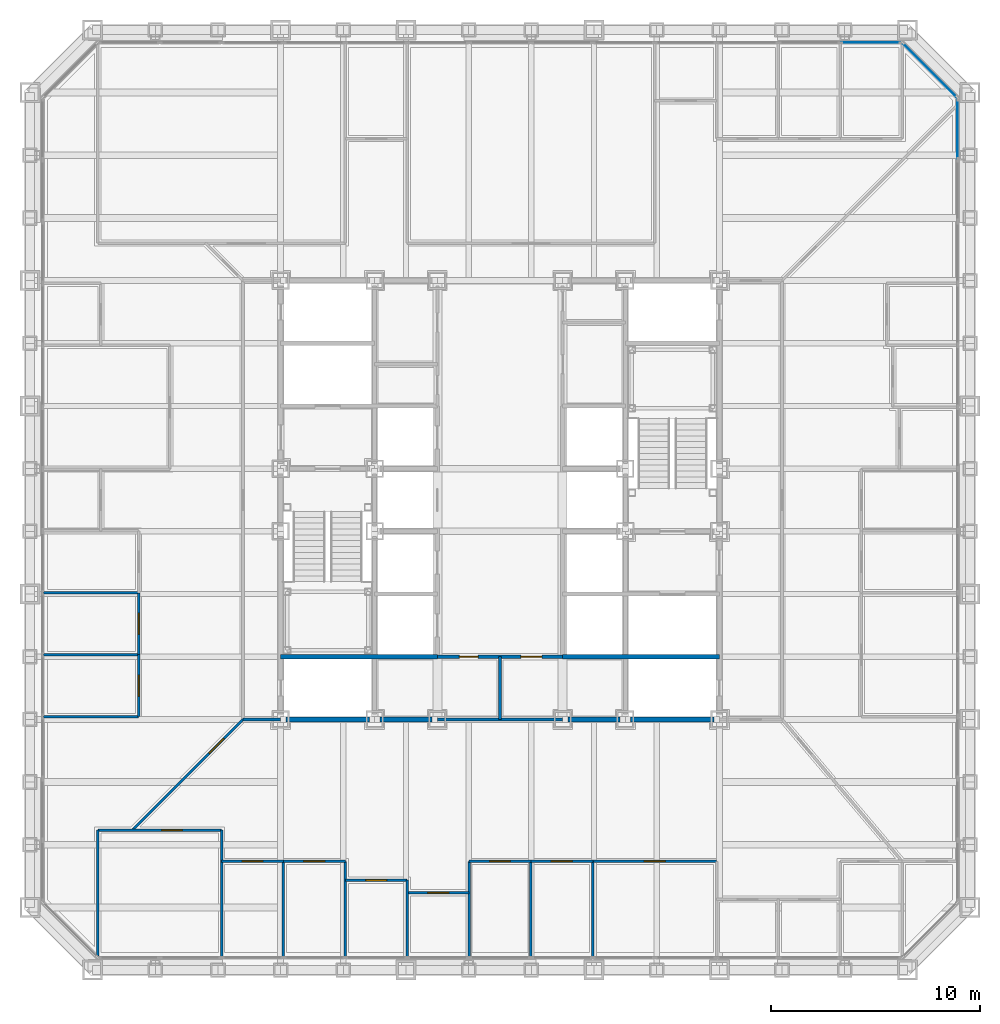
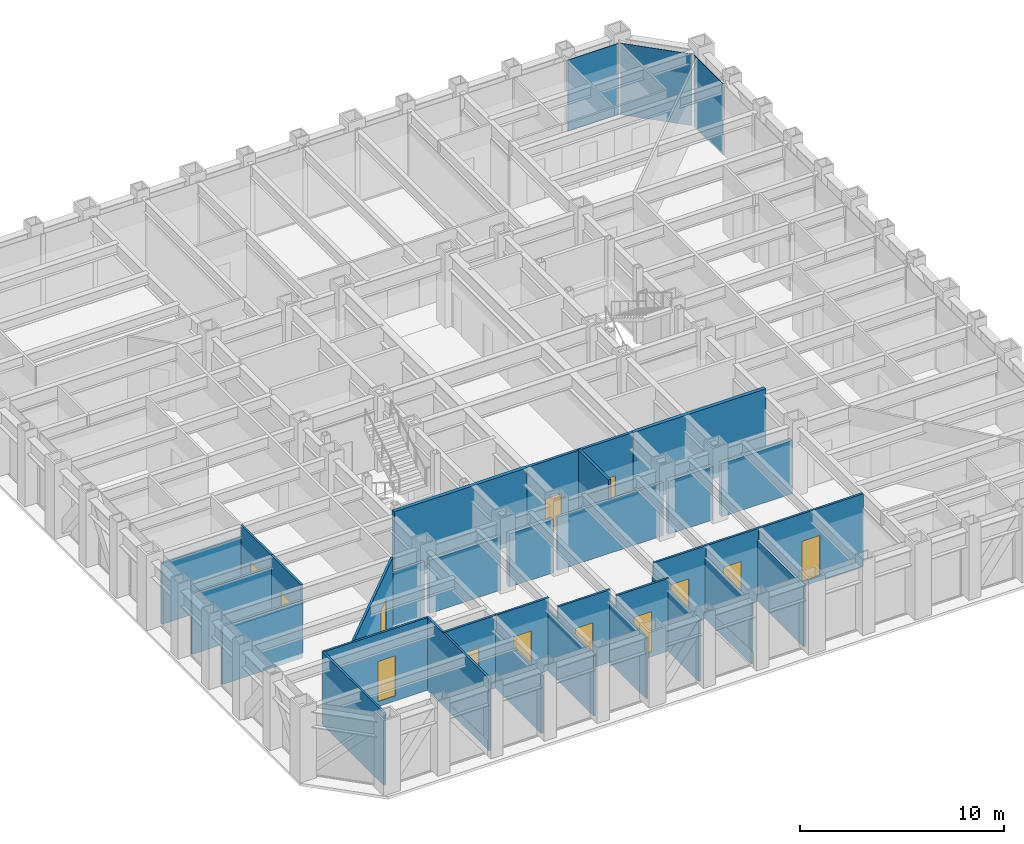
# One storey, part 8 of 16: 32 walls, 13 doors, 3 plates, 13 openings, 3 elements without a shape of their own.
"""IFC4 building model written with IfcOpenShell, lengths in metres."""

from ifc_helpers import new_model, si_unit, direction, frame, frame_2d, origin, origin_2d, place, context, subcontext, project, spatial, rectangle, extrude, material, layer, layer_set, type_object, element, fill, aggregate, save


model = new_model("IFC4")

# Units and contexts
model_context = context("Model", 3, precision=1e-05, world=origin(), true_north=direction((0.0, 1.0)))
body_context = subcontext(model_context, "Body", "Model", "MODEL_VIEW")
ifc_project = project(units=[si_unit("LENGTHUNIT", "METRE"), si_unit("AREAUNIT", "SQUARE_METRE"), si_unit("VOLUMEUNIT", "CUBIC_METRE"), si_unit("PLANEANGLEUNIT", "RADIAN"), si_unit("MASSUNIT", "GRAM", prefix="KILO")], contexts=[model_context])

# Site, building, storey
site_placement = place(None, origin())
site = spatial("IfcSite", under=ifc_project, at=site_placement, CompositionType="ELEMENT")
building_placement = place(site_placement, origin())
building = spatial("IfcBuilding", under=site, at=building_placement, Name="Chuquiago Exchange Tower", CompositionType="ELEMENT")
storey_placement = place(building_placement, frame((0.0, 0.0, 33.300048828125)))
storey = spatial("IfcBuildingStorey", under=building, at=storey_placement, Name="L06", CompositionType="ELEMENT", Elevation=33.300048828125)

# Curtain wall, plate
ifc_material_1 = material(Name="Aluminium curtain wall system", Category="aluminium")
ifc_layer_1 = layer(ifc_material_1, 0.25)
ifc_layer_set_1 = layer_set([ifc_layer_1], Name="CW1 trading floor curtain wall")
curtain_wall_type_1 = type_object("IfcCurtainWallType", Name="CW1 trading floor curtain wall", PredefinedType="NOTDEFINED", material=ifc_layer_set_1)
curtain_wall_1_placement = place(storey_placement, origin())
curtain_wall_1 = element("IfcCurtainWall", 1, at=curtain_wall_1_placement, inside=storey, type_object=curtain_wall_type_1, Name="CW1 curtain wall L06", PredefinedType="NOTDEFINED")
ifc_material_2 = material(Name="Insulated spandrel panel, pale anodised aluminium", Category="aluminium")
ifc_layer_2 = layer(ifc_material_2, 0.031982421875)
ifc_layer_set_2 = layer_set([ifc_layer_2], Name="CW1-P spandrel panel 32")
plate_type_1 = type_object("IfcPlateType", Name="CW1-P spandrel panel 32", PredefinedType="CURTAIN_PANEL", material=ifc_layer_set_2)
plate_1_placement = place(storey_placement, frame((44.39990234375, 40.251953125, -0.22509765625), z_axis=(0.0, 0.0, 1.0), x_axis=(0.0, 1.0, 0.0)))
plate_1 = element("IfcPlate", 2, at=plate_1_placement, type_object=plate_type_1, Name="CW1 panel 13.1", PredefinedType="CURTAIN_PANEL", context=body_context, shape_type="SweptSolid", body=[
    extrude(rectangle(XDim=2.849365234375, YDim=0.031982421875, at=origin_2d()), origin(), (0.0, 0.0, 1.0), 4.264892578125),
])
aggregate(curtain_wall_1, [plate_1])

curtain_wall_2_placement = place(storey_placement, origin())
curtain_wall_2 = element("IfcCurtainWall", 3, at=curtain_wall_2_placement, inside=storey, type_object=curtain_wall_type_1, Name="CW1 curtain wall L06", PredefinedType="NOTDEFINED")
plate_2_placement = place(storey_placement, frame((40.251953125, 44.39990234375, -0.22509765625), z_axis=(0.0, 0.0, 1.0), x_axis=(-1.0, 0.0, 0.0)))
plate_2 = element("IfcPlate", 4, at=plate_2_placement, type_object=plate_type_1, Name="CW1 panel 1.1", PredefinedType="CURTAIN_PANEL", context=body_context, shape_type="SweptSolid", body=[
    extrude(rectangle(XDim=2.849365234375, YDim=0.031982421875, at=origin_2d()), origin(), (0.0, 0.0, 1.0), 4.264892578125),
])
aggregate(curtain_wall_2, [plate_2])

ifc_material_3 = material(Name="Aluminium curtain wall system", Category="aluminium")
ifc_layer_3 = layer(ifc_material_3, 0.199951171875)
ifc_layer_set_3 = layer_set([ifc_layer_3], Name="CW3 facet curtain wall")
curtain_wall_type_2 = type_object("IfcCurtainWallType", Name="CW3 facet curtain wall", PredefinedType="NOTDEFINED", material=ifc_layer_set_3)
curtain_wall_3_placement = place(storey_placement, origin())
curtain_wall_3 = element("IfcCurtainWall", 5, at=curtain_wall_3_placement, inside=storey, type_object=curtain_wall_type_2, Name="CW3 curtain wall L06", PredefinedType="NOTDEFINED")
ifc_material_4 = material(Name="Insulated spandrel panel, pale anodised aluminium", Category="aluminium")
ifc_layer_4 = layer(ifc_material_4, 0.030029296875)
ifc_layer_set_4 = layer_set([ifc_layer_4], Name="CW3-P spandrel panel 30")
plate_type_2 = type_object("IfcPlateType", Name="CW3-P spandrel panel 30", PredefinedType="CURTAIN_PANEL", material=ifc_layer_set_4)
plate_3_placement = place(storey_placement, frame((43.07568359375, 43.07568359375, -0.235107421875), z_axis=(0.0, 0.0, 1.0), x_axis=(-0.707106781187, 0.707106781187, 0.0)))
plate_3 = element("IfcPlate", 6, at=plate_3_placement, type_object=plate_type_2, Name="CW3 panel 1.1", PredefinedType="CURTAIN_PANEL", context=body_context, shape_type="SweptSolid", body=[
    extrude(rectangle(XDim=3.615478515625, YDim=0.030029296875, at=origin_2d()), origin(), (0.0, 0.0, 1.0), 4.27490234375),
])
aggregate(curtain_wall_3, [plate_3])

# Walls
ifc_material_5 = material(Name="Concrete masonry, fully grouted", Category="masonry")
ifc_layer_5 = layer(ifc_material_5, 0.25)
ifc_layer_set_5 = layer_set([ifc_layer_5], Name="W1 core wall 250")
wall_type_1 = type_object("IfcWallType", Name="W1 core wall 250", PredefinedType="SOLIDWALL", material=ifc_layer_set_5)
wall_1_placement = place(storey_placement, frame((12.25, 12.0, 0.0), z_axis=(0.0, 0.0, 1.0), x_axis=(1.0, 0.0, 0.0)))
element("IfcWall", 7, at=wall_1_placement, inside=storey, type_object=wall_type_1, Name="CW-L06-01-0", PredefinedType="SOLIDWALL", context=body_context, shape_type="SweptSolid", body=[
    extrude(rectangle(XDim=4.0, YDim=0.25, at=frame_2d((2.0, 0.0))), origin(), (0.0, 0.0, 1.0), 3.181396484375),
])
for number, where, z_axis, x_axis, name in (
    (8, (16.75, 12.0, 0.0), (0.0, 0.0, 1.0), (1.0, 0.0, 0.0), "CW-L06-01-1"),
    (9, (25.75, 12.0, 0.0), (0.0, 0.0, 1.0), (1.0, 0.0, 0.0), "CW-L06-02-0"),
):
    element("IfcWall", number, at=place(storey_placement, frame(where, z_axis=z_axis, x_axis=x_axis)), inside=storey, type_object=wall_type_1, Name=name, PredefinedType="SOLIDWALL", context=body_context, shape_type="SweptSolid", body=[
        extrude(rectangle(XDim=2.5, YDim=0.25, at=frame_2d((1.25, 0.0))), origin(), (0.0, 0.0, 1.0), 3.181396484375),
    ])
wall_2_placement = place(storey_placement, frame((28.75, 12.0, 0.0), z_axis=(0.0, 0.0, 1.0), x_axis=(1.0, 0.0, 0.0)))
element("IfcWall", 10, at=wall_2_placement, inside=storey, type_object=wall_type_1, Name="CW-L06-02-1", PredefinedType="SOLIDWALL", context=body_context, shape_type="SweptSolid", body=[
    extrude(rectangle(XDim=4.0, YDim=0.25, at=frame_2d((2.0, 0.0))), origin(), (0.0, 0.0, 1.0), 3.181396484375),
])
ifc_material_6 = material(Name="Gypsum board on steel studs, acoustic insulation", Category="steel")
ifc_layer_6 = layer(ifc_material_6, 0.14990234375)
ifc_layer_set_6 = layer_set([ifc_layer_6], Name="W11 corridor wall 150")
wall_type_2 = type_object("IfcWallType", Name="W11 corridor wall 150", PredefinedType="PARTITIONING", material=ifc_layer_set_6)
wall_3_placement = place(storey_placement, frame((10.199951171875, 12.0, -0.300048828125), z_axis=(0.0, 0.0, 1.0), x_axis=(1.0, 0.0, 0.0)))
element("IfcWall", 11, at=wall_3_placement, inside=storey, type_object=wall_type_2, Name="PW-L06-GWS0", PredefinedType="PARTITIONING", context=body_context, shape_type="SweptSolid", body=[
    extrude(rectangle(XDim=1.800048828125, YDim=0.14990234375, at=frame_2d((0.89990234375, 0.0))), origin(), (0.0, 0.0, 1.0), 3.4814453125),
])
ifc_material_7 = material(Name="Concrete masonry, fully grouted", Category="masonry")
ifc_layer_7 = layer(ifc_material_7, 0.199951171875)
ifc_layer_set_7 = layer_set([ifc_layer_7], Name="W2 shaft wall 200")
wall_type_3 = type_object("IfcWallType", Name="W2 shaft wall 200", PredefinedType="SOLIDWALL", material=ifc_layer_set_7)
for number, where, z_axis, x_axis, name in (
    (12, (12.0, 15.0, 0.0), (0.0, 0.0, 1.0), (1.0, 0.0, 0.0), "CW-L06-03-0"),
    (13, (25.5, 15.0, 0.0), (0.0, 0.0, 1.0), (1.0, 0.0, 0.0), "CW-L06-04-0"),
):
    element("IfcWall", number, at=place(storey_placement, frame(where, z_axis=z_axis, x_axis=x_axis)), inside=storey, type_object=wall_type_3, Name=name, PredefinedType="SOLIDWALL", context=body_context, shape_type="SweptSolid", body=[
        extrude(rectangle(XDim=7.5, YDim=0.199951171875, at=frame_2d((3.75, 0.0))), origin(), (0.0, 0.0, 1.0), 4.33984375),
    ])

# Wall, openings, doors
ifc_material_8 = material(Name="Gypsum board on steel studs", Category="steel")
ifc_layer_8 = layer(ifc_material_8, 0.14990234375)
ifc_layer_set_8 = layer_set([ifc_layer_8], Name="W3 core partition 150")
wall_type_4 = type_object("IfcWallType", Name="W3 core partition 150", PredefinedType="PARTITIONING", material=ifc_layer_set_8)
wall_4_placement = place(storey_placement, frame((19.5, 15.0, 0.0), z_axis=(0.0, 0.0, 1.0), x_axis=(1.0, 0.0, 0.0)))
wall_4 = element("IfcWall", 14, at=wall_4_placement, inside=storey, type_object=wall_type_4, Name="CW-L06-TF", PredefinedType="PARTITIONING", context=body_context, shape_type="SweptSolid", body=[
    extrude(rectangle(XDim=6.0, YDim=0.14990234375, at=frame_2d((3.0, 0.0))), origin(), (0.0, 0.0, 1.0), 4.33984375),
])
opening_1_placement = place(wall_4_placement, frame((4.0, 0.0, 0.0)))
opening_1 = element("IfcOpeningElement", 15, at=opening_1_placement, cuts=wall_4, Name="Opening L06-015", PredefinedType="OPENING", context=body_context, shape_type="SweptSolid", body=[
    extrude(rectangle(XDim=1.0, YDim=2.10009765625, at=frame_2d((0.5, 1.050048828125))), frame((0.0, 0.0849609375, 0.0), z_axis=(0.0, -1.0, 0.0), x_axis=(1.0, 0.0, 0.0)), (0.0, 0.0, 1.0), 0.169921875),
])
opening_2_placement = place(wall_4_placement, frame((1.050048828125, 0.0, 0.0)))
opening_2 = element("IfcOpeningElement", 16, at=opening_2_placement, cuts=wall_4, Name="Opening L06-016", PredefinedType="OPENING", context=body_context, shape_type="SweptSolid", body=[
    extrude(rectangle(XDim=0.89990234375, YDim=2.10009765625, at=frame_2d((0.449951171875, 1.050048828125))), frame((0.0, 0.0849609375, 0.0), z_axis=(0.0, -1.0, 0.0), x_axis=(1.0, 0.0, 0.0)), (0.0, 0.0, 1.0), 0.169921875),
])
ifc_material_9 = material(Name="Timber door, laminate faced", Category="wood")
door_type_1 = type_object("IfcDoorType", Name="D7 toilet door 900x2100", OperationType="SINGLE_SWING_LEFT", PredefinedType="DOOR", material=ifc_material_9)
door_1_placement = place(opening_2_placement, origin())
door_1 = element("IfcDoor", 17, at=door_1_placement, inside=storey, type_object=door_type_1, Name="Cleaner door", OperationType="SINGLE_SWING_LEFT", OverallHeight=2.10009765625, OverallWidth=0.89990234375, PredefinedType="DOOR", context=body_context, shape_type="SweptSolid", body=[
    extrude(rectangle(XDim=0.89990234375, YDim=2.10009765625, at=frame_2d((0.449951171875, 1.050048828125))), frame((0.0, 0.02490234375, 0.0), z_axis=(0.0, -1.0, 0.0), x_axis=(1.0, 0.0, 0.0)), (0.0, 0.0, 1.0), 0.050048828125),
])
fill(opening_2, door_1)
ifc_material_10 = material(Name="Timber door, laminate faced", Category="wood")
door_type_2 = type_object("IfcDoorType", Name="D8 accessible toilet door 1000x2100", OperationType="SLIDING_TO_LEFT", PredefinedType="DOOR", material=ifc_material_10)
door_2_placement = place(opening_1_placement, origin())
door_2 = element("IfcDoor", 18, at=door_2_placement, inside=storey, type_object=door_type_2, Name="Accessible WC door", OperationType="SLIDING_TO_LEFT", OverallHeight=2.10009765625, OverallWidth=1.0, PredefinedType="DOOR", context=body_context, shape_type="SweptSolid", body=[
    extrude(rectangle(XDim=1.0, YDim=2.10009765625, at=frame_2d((0.5, 1.050048828125))), frame((0.0, 0.02490234375, 0.0), z_axis=(0.0, -1.0, 0.0), x_axis=(1.0, 0.0, 0.0)), (0.0, 0.0, 1.0), 0.050048828125),
])
fill(opening_1, door_2)

# Walls
wall_5_placement = place(storey_placement, frame((22.5, 15.0, 0.0), z_axis=(0.0, 0.0, 1.0), x_axis=(0.0, -1.0, 0.0)))
element("IfcWall", 19, at=wall_5_placement, inside=storey, type_object=wall_type_4, Name="CW-L06-TM", PredefinedType="PARTITIONING", context=body_context, shape_type="SweptSolid", body=[
    extrude(rectangle(XDim=3.0, YDim=0.14990234375, at=frame_2d((1.5, 0.0))), origin(), (0.0, 0.0, 1.0), 4.33984375),
])
wall_6_placement = place(storey_placement, frame((19.5, 12.0, 0.0), z_axis=(0.0, 0.0, 1.0), x_axis=(1.0, 0.0, 0.0)))
element("IfcWall", 20, at=wall_6_placement, inside=storey, type_object=wall_type_4, Name="CW-L06-TB", PredefinedType="PARTITIONING", context=body_context, shape_type="SweptSolid", body=[
    extrude(rectangle(XDim=6.0, YDim=0.14990234375, at=frame_2d((3.0, 0.0))), origin(), (0.0, 0.0, 1.0), 3.181396484375),
])
ifc_material_11 = material(Name="Gypsum board on steel studs", Category="steel")
ifc_layer_9 = layer(ifc_material_11, 0.1201171875)
ifc_layer_set_9 = layer_set([ifc_layer_9], Name="W4 partition 120")
wall_type_5 = type_object("IfcWallType", Name="W4 partition 120", PredefinedType="PARTITIONING", material=ifc_layer_set_9)
wall_7_placement = place(storey_placement, frame((3.24853515625, 0.666015625, -0.300048828125), z_axis=(0.0, 0.0, 1.0), x_axis=(0.0, 1.0, 0.0)))
element("IfcWall", 21, at=wall_7_placement, inside=storey, type_object=wall_type_5, Name="PW-L06-S00325", PredefinedType="PARTITIONING", context=body_context, shape_type="SweptSolid", body=[
    extrude(rectangle(XDim=6.033935546875, YDim=0.1201171875, at=frame_2d((3.01708984375, 0.0))), origin(), (0.0, 0.0, 1.0), 4.340087890625),
])
wall_8_placement = place(storey_placement, frame((9.172119140625, 0.657470703125, -0.300048828125), z_axis=(0.0, 0.0, 1.0), x_axis=(0.0, 1.0, 0.0)))
element("IfcWall", 22, at=wall_8_placement, inside=storey, type_object=wall_type_5, Name="PW-L06-S00917", PredefinedType="PARTITIONING", context=body_context, shape_type="SweptSolid", body=[
    extrude(rectangle(XDim=6.04248046875, YDim=0.1201171875, at=frame_2d((3.021240234375, 0.0))), origin(), (0.0, 0.0, 1.0), 4.340087890625),
])
wall_9_placement = place(storey_placement, frame((12.1337890625, 0.657470703125, -0.300048828125), z_axis=(0.0, 0.0, 1.0), x_axis=(0.0, 1.0, 0.0)))
element("IfcWall", 23, at=wall_9_placement, inside=storey, type_object=wall_type_5, Name="PW-L06-S01213", PredefinedType="PARTITIONING", context=body_context, shape_type="SweptSolid", body=[
    extrude(rectangle(XDim=4.54248046875, YDim=0.1201171875, at=frame_2d((2.271240234375, 0.0))), origin(), (0.0, 0.0, 1.0), 3.4814453125),
])
wall_10_placement = place(storey_placement, frame((15.095703125, 0.657470703125, -0.300048828125), z_axis=(0.0, 0.0, 1.0), x_axis=(0.0, 1.0, 0.0)))
element("IfcWall", 24, at=wall_10_placement, inside=storey, type_object=wall_type_5, Name="PW-L06-S01510", PredefinedType="PARTITIONING", context=body_context, shape_type="SweptSolid", body=[
    extrude(rectangle(XDim=4.54248046875, YDim=0.1201171875, at=frame_2d((2.271240234375, 0.0))), origin(), (0.0, 0.0, 1.0), 3.646484375),
])
wall_11_placement = place(storey_placement, frame((18.057373046875, 0.657470703125, -0.300048828125), z_axis=(0.0, 0.0, 1.0), x_axis=(0.0, 1.0, 0.0)))
element("IfcWall", 25, at=wall_11_placement, inside=storey, type_object=wall_type_5, Name="PW-L06-S01806", PredefinedType="PARTITIONING", context=body_context, shape_type="SweptSolid", body=[
    extrude(rectangle(XDim=3.642578125, YDim=0.1201171875, at=frame_2d((1.8212890625, 0.0))), origin(), (0.0, 0.0, 1.0), 3.646484375),
])
for number, where, z_axis, x_axis, name in (
    (26, (21.01904296875, 0.657470703125, -0.300048828125), (0.0, 0.0, 1.0), (0.0, 1.0, 0.0), "PW-L06-S02102"),
    (27, (23.98095703125, 0.657470703125, -0.300048828125), (0.0, 0.0, 1.0), (0.0, 1.0, 0.0), "PW-L06-S02398"),
    (28, (26.942626953125, 0.657470703125, -0.300048828125), (0.0, 0.0, 1.0), (0.0, 1.0, 0.0), "PW-L06-S02694"),
):
    element("IfcWall", number, at=place(storey_placement, frame(where, z_axis=z_axis, x_axis=x_axis)), inside=storey, type_object=wall_type_5, Name=name, PredefinedType="PARTITIONING", context=body_context, shape_type="SweptSolid", body=[
        extrude(rectangle(XDim=4.54248046875, YDim=0.1201171875, at=frame_2d((2.271240234375, 0.0))), origin(), (0.0, 0.0, 1.0), 3.646484375),
    ])

# Wall, opening, door
wall_12_placement = place(storey_placement, frame((3.24853515625, 6.699951171875, -0.300048828125), z_axis=(0.0, 0.0, 1.0), x_axis=(1.0, 0.0, 0.0)))
wall_12 = element("IfcWall", 29, at=wall_12_placement, inside=storey, type_object=wall_type_5, Name="PW-L06-SF00325", PredefinedType="PARTITIONING", context=body_context, shape_type="SweptSolid", body=[
    extrude(rectangle(XDim=5.923583984375, YDim=0.1201171875, at=frame_2d((2.9619140625, 0.0))), origin(), (0.0, 0.0, 1.0), 4.340087890625),
])
opening_3_placement = place(wall_12_placement, frame((3.05419921875, 0.0, 0.300048828125)))
opening_3 = element("IfcOpeningElement", 30, at=opening_3_placement, cuts=wall_12, Name="Opening L06-021", PredefinedType="OPENING", context=body_context, shape_type="SweptSolid", body=[
    extrude(rectangle(XDim=1.0, YDim=2.39990234375, at=frame_2d((0.5, 1.199951171875))), frame((0.0, 0.070068359375, 0.0), z_axis=(0.0, -1.0, 0.0), x_axis=(1.0, 0.0, 0.0)), (0.0, 0.0, 1.0), 0.14013671875),
])
ifc_material_12 = material(Name="Timber door, laminate faced", Category="wood")
door_type_3 = type_object("IfcDoorType", Name="D9 room door 1000x2400", OperationType="SINGLE_SWING_LEFT", PredefinedType="DOOR", material=ifc_material_12)
door_3_placement = place(opening_3_placement, frame((1.0, 0.0, 0.0), z_axis=(0.0, 0.0, 1.0), x_axis=(-1.0, 0.0, 0.0)))
door_3 = element("IfcDoor", 31, at=door_3_placement, inside=storey, type_object=door_type_3, Name="Market data room door", OperationType="SINGLE_SWING_LEFT", OverallHeight=2.39990234375, OverallWidth=1.0, PredefinedType="DOOR", context=body_context, shape_type="SweptSolid", body=[
    extrude(rectangle(XDim=1.0, YDim=2.39990234375, at=frame_2d((0.5, 1.199951171875))), frame((0.0, 0.02490234375, 0.0), z_axis=(0.0, -1.0, 0.0), x_axis=(1.0, 0.0, 0.0)), (0.0, 0.0, 1.0), 0.050048828125),
])
fill(opening_3, door_3)

wall_13_placement = place(storey_placement, frame((9.172119140625, 5.199951171875, -0.300048828125), z_axis=(0.0, 0.0, 1.0), x_axis=(1.0, 0.0, 0.0)))
wall_13 = element("IfcWall", 32, at=wall_13_placement, inside=storey, type_object=wall_type_5, Name="PW-L06-SF00917", PredefinedType="PARTITIONING", context=body_context, shape_type="SweptSolid", body=[
    extrude(rectangle(XDim=2.961669921875, YDim=0.1201171875, at=frame_2d((1.48095703125, 0.0))), origin(), (0.0, 0.0, 1.0), 4.340087890625),
])
opening_4_placement = place(wall_13_placement, frame((0.98095703125, 0.0, 0.300048828125)))
opening_4 = element("IfcOpeningElement", 33, at=opening_4_placement, cuts=wall_13, Name="Opening L06-022", PredefinedType="OPENING", context=body_context, shape_type="SweptSolid", body=[
    extrude(rectangle(XDim=1.0, YDim=2.39990234375, at=frame_2d((0.5, 1.199951171875))), frame((0.0, 0.070068359375, 0.0), z_axis=(0.0, -1.0, 0.0), x_axis=(1.0, 0.0, 0.0)), (0.0, 0.0, 1.0), 0.14013671875),
])
door_4_placement = place(opening_4_placement, frame((1.0, 0.0, 0.0), z_axis=(0.0, 0.0, 1.0), x_axis=(-1.0, 0.0, 0.0)))
door_4 = element("IfcDoor", 34, at=door_4_placement, inside=storey, type_object=door_type_3, Name="Trading support room door", OperationType="SINGLE_SWING_LEFT", OverallHeight=2.39990234375, OverallWidth=1.0, PredefinedType="DOOR", context=body_context, shape_type="SweptSolid", body=[
    extrude(rectangle(XDim=1.0, YDim=2.39990234375, at=frame_2d((0.5, 1.199951171875))), frame((0.0, 0.02490234375, 0.0), z_axis=(0.0, -1.0, 0.0), x_axis=(1.0, 0.0, 0.0)), (0.0, 0.0, 1.0), 0.050048828125),
])
fill(opening_4, door_4)

wall_14_placement = place(storey_placement, frame((12.1337890625, 5.199951171875, -0.300048828125), z_axis=(0.0, 0.0, 1.0), x_axis=(1.0, 0.0, 0.0)))
wall_14 = element("IfcWall", 35, at=wall_14_placement, inside=storey, type_object=wall_type_5, Name="PW-L06-SF01213", PredefinedType="PARTITIONING", context=body_context, shape_type="SweptSolid", body=[
    extrude(rectangle(XDim=2.9619140625, YDim=0.1201171875, at=frame_2d((1.48095703125, 0.0))), origin(), (0.0, 0.0, 1.0), 4.340087890625),
])
opening_5_placement = place(wall_14_placement, frame((0.98095703125, 0.0, 0.300048828125)))
opening_5 = element("IfcOpeningElement", 36, at=opening_5_placement, cuts=wall_14, Name="Opening L06-023", PredefinedType="OPENING", context=body_context, shape_type="SweptSolid", body=[
    extrude(rectangle(XDim=1.0, YDim=2.39990234375, at=frame_2d((0.5, 1.199951171875))), frame((0.0, 0.070068359375, 0.0), z_axis=(0.0, -1.0, 0.0), x_axis=(1.0, 0.0, 0.0)), (0.0, 0.0, 1.0), 0.14013671875),
])
door_5_placement = place(opening_5_placement, frame((1.0, 0.0, 0.0), z_axis=(0.0, 0.0, 1.0), x_axis=(-1.0, 0.0, 0.0)))
door_5 = element("IfcDoor", 37, at=door_5_placement, inside=storey, type_object=door_type_3, Name="Trading support room door", OperationType="SINGLE_SWING_LEFT", OverallHeight=2.39990234375, OverallWidth=1.0, PredefinedType="DOOR", context=body_context, shape_type="SweptSolid", body=[
    extrude(rectangle(XDim=1.0, YDim=2.39990234375, at=frame_2d((0.5, 1.199951171875))), frame((0.0, 0.02490234375, 0.0), z_axis=(0.0, -1.0, 0.0), x_axis=(1.0, 0.0, 0.0)), (0.0, 0.0, 1.0), 0.050048828125),
])
fill(opening_5, door_5)

wall_15_placement = place(storey_placement, frame((15.095703125, 4.300048828125, -0.300048828125), z_axis=(0.0, 0.0, 1.0), x_axis=(1.0, 0.0, 0.0)))
wall_15 = element("IfcWall", 38, at=wall_15_placement, inside=storey, type_object=wall_type_5, Name="PW-L06-SF01510", PredefinedType="PARTITIONING", context=body_context, shape_type="SweptSolid", body=[
    extrude(rectangle(XDim=2.961669921875, YDim=0.1201171875, at=frame_2d((1.48095703125, 0.0))), origin(), (0.0, 0.0, 1.0), 4.340087890625),
])
opening_6_placement = place(wall_15_placement, frame((0.98095703125, 0.0, 0.300048828125)))
opening_6 = element("IfcOpeningElement", 39, at=opening_6_placement, cuts=wall_15, Name="Opening L06-024", PredefinedType="OPENING", context=body_context, shape_type="SweptSolid", body=[
    extrude(rectangle(XDim=1.0, YDim=2.39990234375, at=frame_2d((0.5, 1.199951171875))), frame((0.0, 0.070068359375, 0.0), z_axis=(0.0, -1.0, 0.0), x_axis=(1.0, 0.0, 0.0)), (0.0, 0.0, 1.0), 0.14013671875),
])
door_6_placement = place(opening_6_placement, frame((1.0, 0.0, 0.0), z_axis=(0.0, 0.0, 1.0), x_axis=(-1.0, 0.0, 0.0)))
door_6 = element("IfcDoor", 40, at=door_6_placement, inside=storey, type_object=door_type_3, Name="Comms room door", OperationType="SINGLE_SWING_RIGHT", OverallHeight=2.39990234375, OverallWidth=1.0, PredefinedType="DOOR", context=body_context, shape_type="SweptSolid", body=[
    extrude(rectangle(XDim=1.0, YDim=2.39990234375, at=frame_2d((0.5, 1.199951171875))), frame((0.0, 0.02490234375, 0.0), z_axis=(0.0, -1.0, 0.0), x_axis=(1.0, 0.0, 0.0)), (0.0, 0.0, 1.0), 0.050048828125),
])
fill(opening_6, door_6)

wall_16_placement = place(storey_placement, frame((18.057373046875, 3.699951171875, -0.300048828125), z_axis=(0.0, 0.0, 1.0), x_axis=(1.0, 0.0, 0.0)))
wall_16 = element("IfcWall", 41, at=wall_16_placement, inside=storey, type_object=wall_type_5, Name="PW-L06-SF01806", PredefinedType="PARTITIONING", context=body_context, shape_type="SweptSolid", body=[
    extrude(rectangle(XDim=2.961669921875, YDim=0.1201171875, at=frame_2d((1.48095703125, 0.0))), origin(), (0.0, 0.0, 1.0), 4.340087890625),
])
opening_7_placement = place(wall_16_placement, frame((0.98095703125, 0.0, 0.300048828125)))
opening_7 = element("IfcOpeningElement", 42, at=opening_7_placement, cuts=wall_16, Name="Opening L06-025", PredefinedType="OPENING", context=body_context, shape_type="SweptSolid", body=[
    extrude(rectangle(XDim=1.0, YDim=2.39990234375, at=frame_2d((0.5, 1.199951171875))), frame((0.0, 0.070068359375, 0.0), z_axis=(0.0, -1.0, 0.0), x_axis=(1.0, 0.0, 0.0)), (0.0, 0.0, 1.0), 0.14013671875),
])
door_7_placement = place(opening_7_placement, frame((1.0, 0.0, 0.0), z_axis=(0.0, 0.0, 1.0), x_axis=(-1.0, 0.0, 0.0)))
door_7 = element("IfcDoor", 43, at=door_7_placement, inside=storey, type_object=door_type_3, Name="Store door", OperationType="SINGLE_SWING_LEFT", OverallHeight=2.39990234375, OverallWidth=1.0, PredefinedType="DOOR", context=body_context, shape_type="SweptSolid", body=[
    extrude(rectangle(XDim=1.0, YDim=2.39990234375, at=frame_2d((0.5, 1.199951171875))), frame((0.0, 0.02490234375, 0.0), z_axis=(0.0, -1.0, 0.0), x_axis=(1.0, 0.0, 0.0)), (0.0, 0.0, 1.0), 0.050048828125),
])
fill(opening_7, door_7)

wall_17_placement = place(storey_placement, frame((21.01904296875, 5.199951171875, -0.300048828125), z_axis=(0.0, 0.0, 1.0), x_axis=(1.0, 0.0, 0.0)))
wall_17 = element("IfcWall", 44, at=wall_17_placement, inside=storey, type_object=wall_type_5, Name="PW-L06-SF02102", PredefinedType="PARTITIONING", context=body_context, shape_type="SweptSolid", body=[
    extrude(rectangle(XDim=2.9619140625, YDim=0.1201171875, at=frame_2d((1.48095703125, 0.0))), origin(), (0.0, 0.0, 1.0), 4.340087890625),
])
opening_8_placement = place(wall_17_placement, frame((0.98095703125, 0.0, 0.300048828125)))
opening_8 = element("IfcOpeningElement", 45, at=opening_8_placement, cuts=wall_17, Name="Opening L06-026", PredefinedType="OPENING", context=body_context, shape_type="SweptSolid", body=[
    extrude(rectangle(XDim=1.0, YDim=2.39990234375, at=frame_2d((0.5, 1.199951171875))), frame((0.0, 0.070068359375, 0.0), z_axis=(0.0, -1.0, 0.0), x_axis=(1.0, 0.0, 0.0)), (0.0, 0.0, 1.0), 0.14013671875),
])
door_8_placement = place(opening_8_placement, frame((1.0, 0.0, 0.0), z_axis=(0.0, 0.0, 1.0), x_axis=(-1.0, 0.0, 0.0)))
door_8 = element("IfcDoor", 46, at=door_8_placement, inside=storey, type_object=door_type_3, Name="Office door", OperationType="SINGLE_SWING_LEFT", OverallHeight=2.39990234375, OverallWidth=1.0, PredefinedType="DOOR", context=body_context, shape_type="SweptSolid", body=[
    extrude(rectangle(XDim=1.0, YDim=2.39990234375, at=frame_2d((0.5, 1.199951171875))), frame((0.0, 0.02490234375, 0.0), z_axis=(0.0, -1.0, 0.0), x_axis=(1.0, 0.0, 0.0)), (0.0, 0.0, 1.0), 0.050048828125),
])
fill(opening_8, door_8)

wall_18_placement = place(storey_placement, frame((23.98095703125, 5.199951171875, -0.300048828125), z_axis=(0.0, 0.0, 1.0), x_axis=(1.0, 0.0, 0.0)))
wall_18 = element("IfcWall", 47, at=wall_18_placement, inside=storey, type_object=wall_type_5, Name="PW-L06-SF02398", PredefinedType="PARTITIONING", context=body_context, shape_type="SweptSolid", body=[
    extrude(rectangle(XDim=2.961669921875, YDim=0.1201171875, at=frame_2d((1.48095703125, 0.0))), origin(), (0.0, 0.0, 1.0), 4.340087890625),
])
opening_9_placement = place(wall_18_placement, frame((0.98095703125, 0.0, 0.300048828125)))
opening_9 = element("IfcOpeningElement", 48, at=opening_9_placement, cuts=wall_18, Name="Opening L06-027", PredefinedType="OPENING", context=body_context, shape_type="SweptSolid", body=[
    extrude(rectangle(XDim=1.0, YDim=2.39990234375, at=frame_2d((0.5, 1.199951171875))), frame((0.0, 0.070068359375, 0.0), z_axis=(0.0, -1.0, 0.0), x_axis=(1.0, 0.0, 0.0)), (0.0, 0.0, 1.0), 0.14013671875),
])
door_9_placement = place(opening_9_placement, frame((1.0, 0.0, 0.0), z_axis=(0.0, 0.0, 1.0), x_axis=(-1.0, 0.0, 0.0)))
door_9 = element("IfcDoor", 49, at=door_9_placement, inside=storey, type_object=door_type_3, Name="Office door", OperationType="SINGLE_SWING_LEFT", OverallHeight=2.39990234375, OverallWidth=1.0, PredefinedType="DOOR", context=body_context, shape_type="SweptSolid", body=[
    extrude(rectangle(XDim=1.0, YDim=2.39990234375, at=frame_2d((0.5, 1.199951171875))), frame((0.0, 0.02490234375, 0.0), z_axis=(0.0, -1.0, 0.0), x_axis=(1.0, 0.0, 0.0)), (0.0, 0.0, 1.0), 0.050048828125),
])
fill(opening_9, door_9)

wall_19_placement = place(storey_placement, frame((26.942626953125, 5.199951171875, -0.300048828125), z_axis=(0.0, 0.0, 1.0), x_axis=(1.0, 0.0, 0.0)))
wall_19 = element("IfcWall", 50, at=wall_19_placement, inside=storey, type_object=wall_type_5, Name="PW-L06-SF02694", PredefinedType="PARTITIONING", context=body_context, shape_type="SweptSolid", body=[
    extrude(rectangle(XDim=5.923583984375, YDim=0.1201171875, at=frame_2d((2.9619140625, 0.0))), origin(), (0.0, 0.0, 1.0), 4.340087890625),
])
opening_10_placement = place(wall_19_placement, frame((2.4619140625, 0.0, 0.300048828125)))
opening_10 = element("IfcOpeningElement", 51, at=opening_10_placement, cuts=wall_19, Name="Opening L06-028", PredefinedType="OPENING", context=body_context, shape_type="SweptSolid", body=[
    extrude(rectangle(XDim=1.0, YDim=2.39990234375, at=frame_2d((0.5, 1.199951171875))), frame((0.0, 0.070068359375, 0.0), z_axis=(0.0, -1.0, 0.0), x_axis=(1.0, 0.0, 0.0)), (0.0, 0.0, 1.0), 0.14013671875),
])
ifc_material_13 = material(Name="Timber frame door, full height glazed panel", Category="wood")
door_type_4 = type_object("IfcDoorType", Name="D14 glazed meeting room door 1000x2400", OperationType="SINGLE_SWING_LEFT", PredefinedType="DOOR", material=ifc_material_13)
door_10_placement = place(opening_10_placement, frame((1.0, 0.0, 0.0), z_axis=(0.0, 0.0, 1.0), x_axis=(-1.0, 0.0, 0.0)))
door_10 = element("IfcDoor", 52, at=door_10_placement, inside=storey, type_object=door_type_4, Name="Meeting room door", OperationType="SINGLE_SWING_RIGHT", OverallHeight=2.39990234375, OverallWidth=1.0, PredefinedType="DOOR", context=body_context, shape_type="SweptSolid", body=[
    extrude(rectangle(XDim=1.0, YDim=2.39990234375, at=frame_2d((0.5, 1.199951171875))), frame((0.0, 0.02490234375, 0.0), z_axis=(0.0, -1.0, 0.0), x_axis=(1.0, 0.0, 0.0)), (0.0, 0.0, 1.0), 0.050048828125),
])
fill(opening_10, door_10)

# Walls
wall_20_placement = place(storey_placement, frame((0.657470703125, 12.1337890625, -0.300048828125), z_axis=(0.0, 0.0, 1.0), x_axis=(1.0, 0.0, 0.0)))
element("IfcWall", 53, at=wall_20_placement, inside=storey, type_object=wall_type_5, Name="PW-L06-W01213", PredefinedType="PARTITIONING", context=body_context, shape_type="SweptSolid", body=[
    extrude(rectangle(XDim=4.54248046875, YDim=0.1201171875, at=frame_2d((2.271240234375, 0.0))), origin(), (0.0, 0.0, 1.0), 3.4814453125),
])
for number, where, z_axis, x_axis, name in (
    (54, (0.657470703125, 15.095703125, -0.300048828125), (0.0, 0.0, 1.0), (1.0, 0.0, 0.0), "PW-L06-W01510"),
    (55, (0.657470703125, 18.057373046875, -0.300048828125), (0.0, 0.0, 1.0), (1.0, 0.0, 0.0), "PW-L06-W01806"),
):
    element("IfcWall", number, at=place(storey_placement, frame(where, z_axis=z_axis, x_axis=x_axis)), inside=storey, type_object=wall_type_5, Name=name, PredefinedType="PARTITIONING", context=body_context, shape_type="SweptSolid", body=[
        extrude(rectangle(XDim=4.54248046875, YDim=0.1201171875, at=frame_2d((2.271240234375, 0.0))), origin(), (0.0, 0.0, 1.0), 3.646484375),
    ])

# Wall, opening, door
wall_21_placement = place(storey_placement, frame((5.199951171875, 12.1337890625, -0.300048828125), z_axis=(0.0, 0.0, 1.0), x_axis=(0.0, 1.0, 0.0)))
wall_21 = element("IfcWall", 56, at=wall_21_placement, inside=storey, type_object=wall_type_5, Name="PW-L06-WF01213", PredefinedType="PARTITIONING", context=body_context, shape_type="SweptSolid", body=[
    extrude(rectangle(XDim=2.9619140625, YDim=0.1201171875, at=frame_2d((1.48095703125, 0.0))), origin(), (0.0, 0.0, 1.0), 4.340087890625),
])
opening_11_placement = place(wall_21_placement, frame((0.98095703125, 0.0, 0.300048828125)))
opening_11 = element("IfcOpeningElement", 57, at=opening_11_placement, cuts=wall_21, Name="Opening L06-046", PredefinedType="OPENING", context=body_context, shape_type="SweptSolid", body=[
    extrude(rectangle(XDim=1.0, YDim=2.39990234375, at=frame_2d((0.5, 1.199951171875))), frame((0.0, 0.070068359375, 0.0), z_axis=(0.0, -1.0, 0.0), x_axis=(1.0, 0.0, 0.0)), (0.0, 0.0, 1.0), 0.14013671875),
])
door_11_placement = place(opening_11_placement, origin())
door_11 = element("IfcDoor", 58, at=door_11_placement, inside=storey, type_object=door_type_3, Name="Office door", OperationType="SINGLE_SWING_RIGHT", OverallHeight=2.39990234375, OverallWidth=1.0, PredefinedType="DOOR", context=body_context, shape_type="SweptSolid", body=[
    extrude(rectangle(XDim=1.0, YDim=2.39990234375, at=frame_2d((0.5, 1.199951171875))), frame((0.0, 0.02490234375, 0.0), z_axis=(0.0, -1.0, 0.0), x_axis=(1.0, 0.0, 0.0)), (0.0, 0.0, 1.0), 0.050048828125),
])
fill(opening_11, door_11)

wall_22_placement = place(storey_placement, frame((5.199951171875, 15.095703125, -0.300048828125), z_axis=(0.0, 0.0, 1.0), x_axis=(0.0, 1.0, 0.0)))
wall_22 = element("IfcWall", 59, at=wall_22_placement, inside=storey, type_object=wall_type_5, Name="PW-L06-WF01510", PredefinedType="PARTITIONING", context=body_context, shape_type="SweptSolid", body=[
    extrude(rectangle(XDim=2.961669921875, YDim=0.1201171875, at=frame_2d((1.48095703125, 0.0))), origin(), (0.0, 0.0, 1.0), 4.340087890625),
])
opening_12_placement = place(wall_22_placement, frame((0.98095703125, 0.0, 0.300048828125)))
opening_12 = element("IfcOpeningElement", 60, at=opening_12_placement, cuts=wall_22, Name="Opening L06-047", PredefinedType="OPENING", context=body_context, shape_type="SweptSolid", body=[
    extrude(rectangle(XDim=1.0, YDim=2.39990234375, at=frame_2d((0.5, 1.199951171875))), frame((0.0, 0.070068359375, 0.0), z_axis=(0.0, -1.0, 0.0), x_axis=(1.0, 0.0, 0.0)), (0.0, 0.0, 1.0), 0.14013671875),
])
door_12_placement = place(opening_12_placement, origin())
door_12 = element("IfcDoor", 61, at=door_12_placement, inside=storey, type_object=door_type_3, Name="Office door", OperationType="SINGLE_SWING_LEFT", OverallHeight=2.39990234375, OverallWidth=1.0, PredefinedType="DOOR", context=body_context, shape_type="SweptSolid", body=[
    extrude(rectangle(XDim=1.0, YDim=2.39990234375, at=frame_2d((0.5, 1.199951171875))), frame((0.0, 0.02490234375, 0.0), z_axis=(0.0, -1.0, 0.0), x_axis=(1.0, 0.0, 0.0)), (0.0, 0.0, 1.0), 0.050048828125),
])
fill(opening_12, door_12)

wall_23_placement = place(storey_placement, frame((10.199951171875, 12.0, -0.300048828125), z_axis=(0.0, 0.0, 1.0), x_axis=(-0.707106781187, -0.707106781187, 0.0)))
wall_23 = element("IfcWall", 62, at=wall_23_placement, inside=storey, type_object=wall_type_5, Name="PW-L06-QSW", PredefinedType="PARTITIONING", context=body_context, shape_type="SweptSolid", body=[
    extrude(rectangle(XDim=7.496826171875, YDim=0.1201171875, at=frame_2d((3.74853515625, 0.0))), origin(), (0.0, 0.0, 1.0), 4.340087890625),
])
opening_13_placement = place(wall_23_placement, frame((1.300048828125, 0.0, 0.300048828125)))
opening_13 = element("IfcOpeningElement", 63, at=opening_13_placement, cuts=wall_23, Name="Opening L06-058", PredefinedType="OPENING", context=body_context, shape_type="SweptSolid", body=[
    extrude(rectangle(XDim=1.0, YDim=2.39990234375, at=frame_2d((0.5, 1.199951171875))), frame((0.0, 0.070068359375, 0.0), z_axis=(0.0, -1.0, 0.0), x_axis=(1.0, 0.0, 0.0)), (0.0, 0.0, 1.0), 0.14013671875),
])
door_13_placement = place(opening_13_placement, frame((1.0, 0.0, 0.0), z_axis=(0.0, 0.0, 1.0), x_axis=(-1.0, 0.0, 0.0)))
door_13 = element("IfcDoor", 64, at=door_13_placement, inside=storey, type_object=door_type_3, Name="Team area door", OperationType="SINGLE_SWING_RIGHT", OverallHeight=2.39990234375, OverallWidth=1.0, PredefinedType="DOOR", context=body_context, shape_type="SweptSolid", body=[
    extrude(rectangle(XDim=1.0, YDim=2.39990234375, at=frame_2d((0.5, 1.199951171875))), frame((0.0, 0.02490234375, 0.0), z_axis=(0.0, -1.0, 0.0), x_axis=(1.0, 0.0, 0.0)), (0.0, 0.0, 1.0), 0.050048828125),
])
fill(opening_13, door_13)

save(model, "model.ifc")
